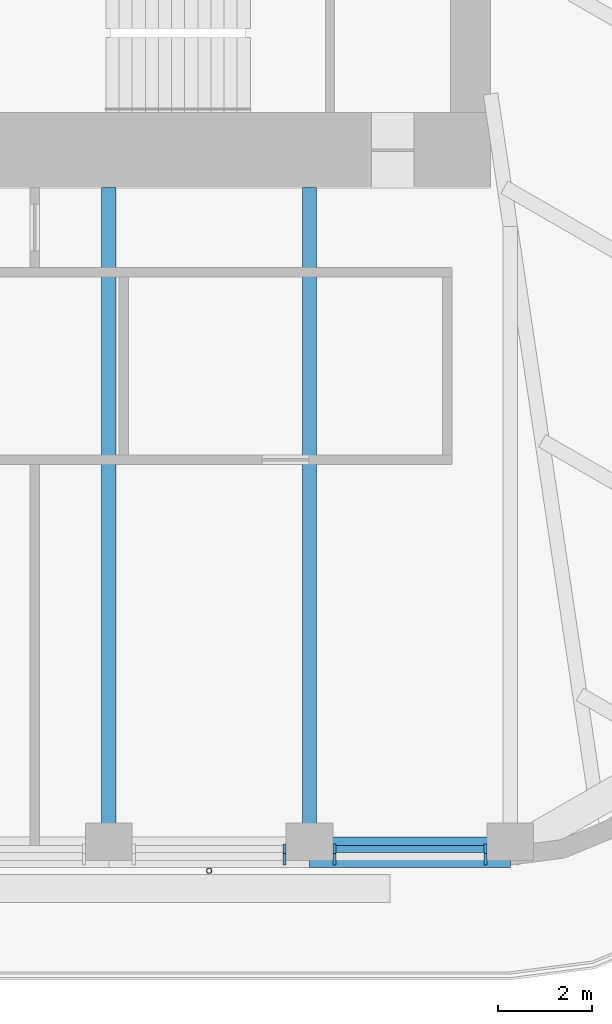
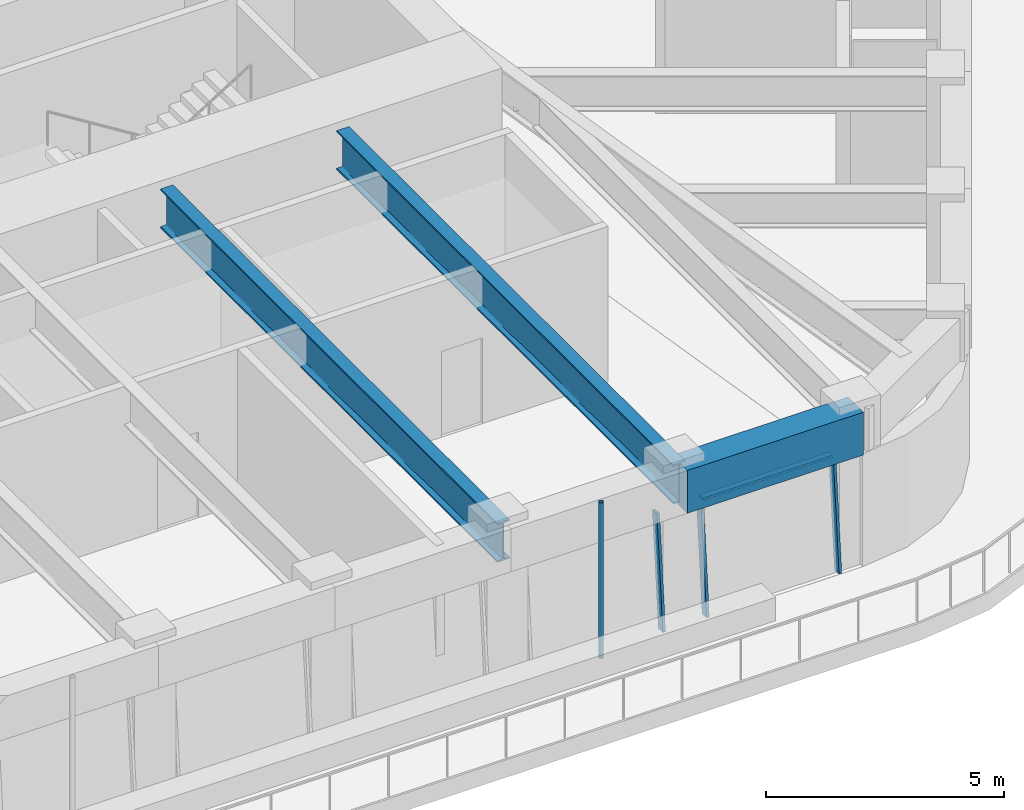
# One storey, part 4 of 19: 5 members, 3 beams, 2 elements without a shape of their own.
"""IFC4 building model written with IfcOpenShell, lengths in metres."""

from ifc_helpers import new_model, si_unit, direction, frame, origin, origin_2d, place, context, subcontext, project, spatial, rectangle, hollow_circle, i_section, extrude, material, material_profile, profile_set, type_object, element, aggregate, save


model = new_model("IFC4")

# Units and contexts
model_context = context("Model", 3, precision=1e-05, world=origin(), true_north=direction((0.0, 1.0)))
body_context = subcontext(model_context, "Body", "Model", "MODEL_VIEW")
ifc_project = project(units=[si_unit("LENGTHUNIT", "METRE"), si_unit("AREAUNIT", "SQUARE_METRE"), si_unit("VOLUMEUNIT", "CUBIC_METRE"), si_unit("PLANEANGLEUNIT", "RADIAN"), si_unit("MASSUNIT", "GRAM", prefix="KILO")], contexts=[model_context])

# Site, building, storey
site_placement = place(None, origin())
site = spatial("IfcSite", under=ifc_project, at=site_placement, CompositionType="ELEMENT")
building_placement = place(site_placement, origin())
building = spatial("IfcBuilding", under=site, at=building_placement, Name="Tarfa Lantern Tower", CompositionType="ELEMENT")
storey_placement = place(building_placement, frame((0.0, 0.0, 336.699951171875)))
storey = spatial("IfcBuildingStorey", under=building, at=storey_placement, Name="L76", CompositionType="ELEMENT", Elevation=336.699951171875)

# Curtain wall, member
ifc_material_1 = material(Name="Aluminium framed curtain wall", Category="aluminium")
curtain_wall_type = type_object("IfcCurtainWallType", Name="CW4 CANTED GLAZING EXECUTIVE ZONE 2900", PredefinedType="USERDEFINED", material=ifc_material_1)
curtain_wall_1_placement = place(storey_placement, origin())
curtain_wall_1 = element("IfcCurtainWall", 1, at=curtain_wall_1_placement, inside=storey, type_object=curtain_wall_type, Name="CW4 S L76", ObjectType="CURTAIN WALL", PredefinedType="USERDEFINED")
ifc_material_2 = material(Name="Aluminium mullion", Category="aluminium")
ifc_material_profile_1 = material_profile(ifc_material_2, rectangle(XDim=0.06494140625, YDim=0.199951171875, at=origin_2d()), Name="AL MULLION 65x200")
ifc_profile_set_1 = profile_set([ifc_material_profile_1], Name="Aluminium mullion")
member_type_1 = type_object("IfcMemberType", Name="CWM1 MULLION 65x200", PredefinedType="MULLION", material=ifc_profile_set_1)
member_1_placement = place(storey_placement, frame((8.031494140625, -26.64990234375, 0.0), z_axis=(0.0, 0.085884035992, 0.996305140186), x_axis=(-1.0, 0.0, 0.0)))
member_1 = element("IfcMember", 2, at=member_1_placement, type_object=member_type_1, Name="CW4 mullion 2", PredefinedType="MULLION", context=body_context, shape_type="SweptSolid", body=[
    extrude(rectangle(XDim=0.06494140625, YDim=0.199951171875, at=origin_2d()), origin(), (0.0, 0.0, 1.0), 2.910888671875),
])
aggregate(curtain_wall_1, [member_1])

# Curtain wall, members
curtain_wall_2_placement = place(storey_placement, origin())
curtain_wall_2 = element("IfcCurtainWall", 3, at=curtain_wall_2_placement, inside=storey, type_object=curtain_wall_type, Name="CW4 S L76", ObjectType="CURTAIN WALL", PredefinedType="USERDEFINED")
member_2_placement = place(storey_placement, frame((9.096435546875, -26.64990234375, 0.0), z_axis=(0.0, 0.085884035992, 0.996305140186), x_axis=(-1.0, 0.0, 0.0)))
member_2 = element("IfcMember", 4, at=member_2_placement, type_object=member_type_1, Name="CW4 mullion 1", PredefinedType="MULLION", context=body_context, shape_type="SweptSolid", body=[
    extrude(rectangle(XDim=0.06494140625, YDim=0.199951171875, at=origin_2d()), origin(), (0.0, 0.0, 1.0), 2.910888671875),
])
member_3_placement = place(storey_placement, frame((12.3134765625, -26.64990234375, 0.0), z_axis=(0.0, 0.085884035992, 0.996305140186), x_axis=(-1.0, 0.0, 0.0)))
member_3 = element("IfcMember", 5, at=member_3_placement, type_object=member_type_1, Name="CW4 mullion 2", PredefinedType="MULLION", context=body_context, shape_type="SweptSolid", body=[
    extrude(rectangle(XDim=0.06494140625, YDim=0.199951171875, at=origin_2d()), origin(), (0.0, 0.0, 1.0), 2.910888671875),
])
ifc_material_3 = material(Name="Aluminium transom", Category="aluminium")
ifc_material_profile_2 = material_profile(ifc_material_3, rectangle(XDim=0.14990234375, YDim=0.06494140625, at=origin_2d()), Name="AL TRANSOM 150x65")
ifc_profile_set_2 = profile_set([ifc_material_profile_2], Name="Aluminium transom")
member_type_2 = type_object("IfcMemberType", Name="CWT1 TRANSOM 150x65", PredefinedType="USERDEFINED", material=ifc_profile_set_2)
member_4_placement = place(storey_placement, frame((9.129150390625, -26.40283203125, 2.867431640625), z_axis=(1.0, 0.0, 0.0), x_axis=(0.0, 1.0, 0.0)))
member_4 = element("IfcMember", 6, at=member_4_placement, type_object=member_type_2, Name="CW4 transom 1.2", ObjectType="TRANSOM", PredefinedType="USERDEFINED", context=body_context, shape_type="SweptSolid", body=[
    extrude(rectangle(XDim=0.14990234375, YDim=0.06494140625, at=origin_2d()), origin(), (0.0, 0.0, 1.0), 3.15185546875),
])
aggregate(curtain_wall_2, [member_2, member_3, member_4])

# Beam
ifc_material_4 = material(Name="Concrete C80/95", Category="concrete")
ifc_material_profile_3 = material_profile(ifc_material_4, rectangle(XDim=0.64990234375, YDim=1.10009765625, at=origin_2d()), Name="RC 650x1100")
ifc_profile_set_3 = profile_set([ifc_material_profile_3], Name="Concrete C80/95")
beam_type_1 = type_object("IfcBeamType", Name="EB4 RC 650x1100", PredefinedType="SPANDREL", material=ifc_profile_set_3)
beam_placement = place(storey_placement, frame((8.56396484375, -26.469970703125, 3.449951171875), z_axis=(1.0, 0.0, 0.0), x_axis=(0.0, 1.0, 0.0)))
element("IfcBeam", 7, at=beam_placement, inside=storey, type_object=beam_type_1, Name="Edge beam S5", PredefinedType="SPANDREL", context=body_context, shape_type="SweptSolid", body=[
    extrude(rectangle(XDim=0.64990234375, YDim=1.10009765625, at=origin_2d()), origin(), (0.0, 0.0, 1.0), 4.281982421875),
])

# Member
ifc_material_5 = material(Name="Steel S355", Category="steel")
ifc_material_profile_4 = material_profile(ifc_material_5, hollow_circle(Radius=0.05712890625, WallThickness=0.00634765625, at=origin_2d()), Name="CHS114.3x6.3")
ifc_profile_set_4 = profile_set([ifc_material_profile_4], Name="Steel S355")
member_type_3 = type_object("IfcMemberType", Name="TR1 GREEN WALL TRELLIS CHS114.3x6.3", PredefinedType="USERDEFINED", material=ifc_profile_set_4)
member_5_placement = place(storey_placement, frame((6.423095703125, -26.8701171875, 0.0), z_axis=(0.0, 0.0, 1.0), x_axis=(1.0, 0.0, 0.0)))
element("IfcMember", 8, at=member_5_placement, inside=storey, type_object=member_type_3, Name="Trellis post S 2", ObjectType="TRELLIS", PredefinedType="USERDEFINED", context=body_context, shape_type="SweptSolid", body=[
    extrude(hollow_circle(Radius=0.05712890625, WallThickness=0.00634765625, at=origin_2d()), origin(), (0.0, 0.0, 1.0), 4.0),
])

# Beams
ifc_material_6 = material(Name="Steel S460M", Category="steel")
ifc_material_profile_5 = material_profile(ifc_material_6, i_section(OverallWidth=0.302001953125, OverallDepth=1.008056640625, WebThickness=0.02099609375, FlangeThickness=0.0400390625, FilletRadius=0.030029296875, at=origin_2d()), Name="UB1016x305x349")
ifc_profile_set_5 = profile_set([ifc_material_profile_5], Name="Steel S460M")
beam_type_2 = type_object("IfcBeamType", Name="UB1016x305x349", PredefinedType="BEAM", material=ifc_profile_set_5)
for number, where, z_axis, x_axis, name in (
    (9, (4.281982421875, -26.469970703125, 3.49609375), (0.0, 1.0, 0.0), (-1.0, 0.0, 0.0), "Floor beam S4"),
    (10, (8.56396484375, -26.469970703125, 3.49609375), (0.0, 1.0, 0.0), (-1.0, 0.0, 0.0), "Floor beam S5"),
):
    element("IfcBeam", number, at=place(storey_placement, frame(where, z_axis=z_axis, x_axis=x_axis)), inside=storey, type_object=beam_type_2, Name=name, PredefinedType="BEAM", context=body_context, shape_type="SweptSolid", body=[
        extrude(i_section(OverallWidth=0.302001953125, OverallDepth=1.008056640625, WebThickness=0.02099609375, FlangeThickness=0.0400390625, FilletRadius=0.030029296875, at=origin_2d()), origin(), (0.0, 0.0, 1.0), 14.169921875),
    ])

save(model, "model.ifc")
